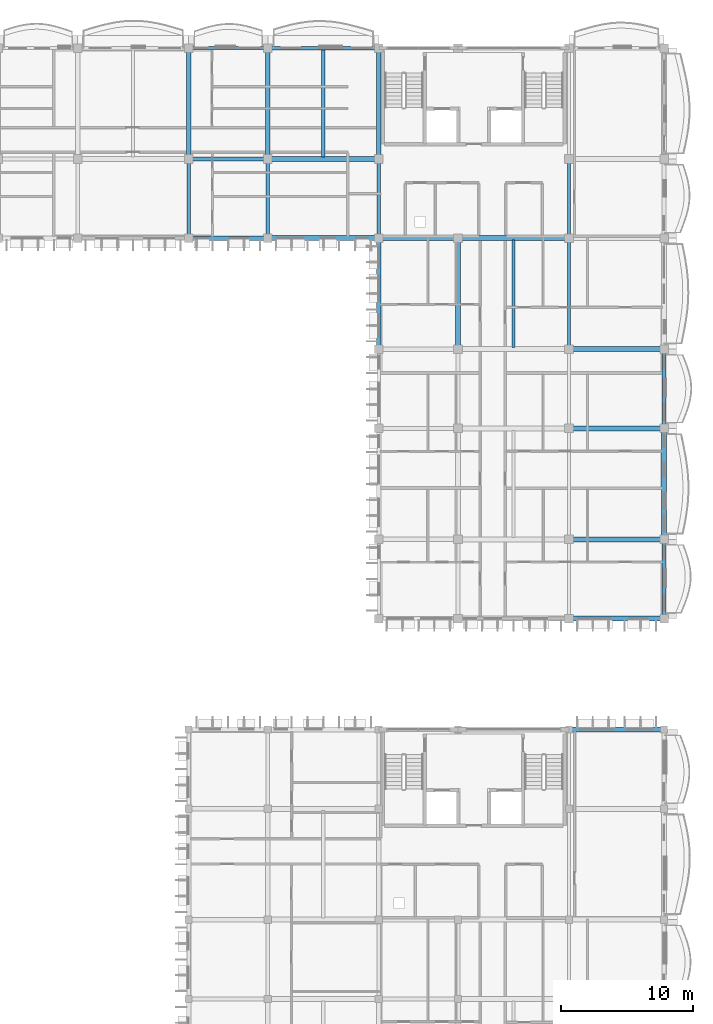
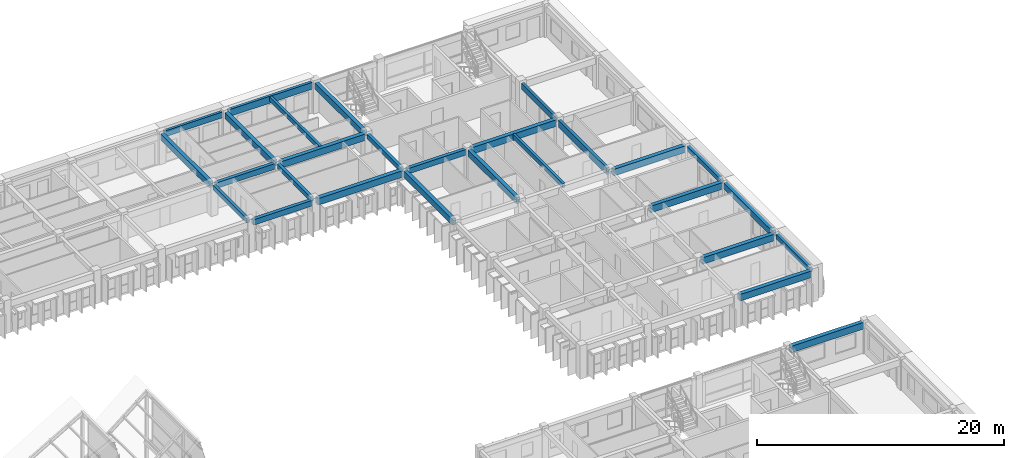
# One storey, part 30 of 101: 28 beams.
"""IFC4 building model written with IfcOpenShell, lengths in metres."""

from ifc_helpers import new_model, si_unit, direction, frame, origin, origin_2d, place, context, subcontext, project, spatial, rectangle, extrude, material, material_profile, profile_set, type_object, element, save


model = new_model("IFC4")

# Units and contexts
model_context = context("Model", 3, precision=1e-05, world=origin(), true_north=direction((0.0, 1.0)))
body_context = subcontext(model_context, "Body", "Model", "MODEL_VIEW")
ifc_project = project(units=[si_unit("LENGTHUNIT", "METRE"), si_unit("AREAUNIT", "SQUARE_METRE"), si_unit("VOLUMEUNIT", "CUBIC_METRE"), si_unit("PLANEANGLEUNIT", "RADIAN"), si_unit("MASSUNIT", "GRAM", prefix="KILO"), si_unit("THERMODYNAMICTEMPERATUREUNIT", "KELVIN")], contexts=[model_context])

# Site, building, storey
site_placement = place(None, origin())
site = spatial("IfcSite", under=ifc_project, at=site_placement, CompositionType="ELEMENT")
building_placement = place(site_placement, origin())
building = spatial("IfcBuilding", under=site, at=building_placement, Name="Thalorik Housing Commons", CompositionType="ELEMENT")
storey_placement = place(building_placement, frame((0.0, 0.0, 8.10009765625)))
storey = spatial("IfcBuildingStorey", under=building, at=storey_placement, Name="L02", CompositionType="ELEMENT", Elevation=8.10009765625)

# Beams
ifc_material = material(Name="Precast concrete C40/50", Category="concrete")
ifc_material_profile_1 = material_profile(ifc_material, rectangle(XDim=0.280029296875, YDim=0.449951171875, at=origin_2d()), Name="PC 280x450", Category="concrete")
ifc_profile_set_1 = profile_set([ifc_material_profile_1], Name="Precast concrete C40/50")
beam_type_1 = type_object("IfcBeamType", Name="STR-BM-PC280x450", PredefinedType="BEAM", material=ifc_profile_set_1)
for number, where, z_axis, x_axis, name in (
    (1, (138.0, 109.47509765625, 2.81494140625), (0.0, 1.0, 0.0), (-1.0, 0.0, 0.0), "L02 Beam B-450"),
    (2, (144.0, 109.47509765625, 2.81494140625), (0.0, 1.0, 0.0), (-1.0, 0.0, 0.0), "L02 Beam B-450"),
    (3, (152.39990234375, 109.47509765625, 2.81494140625), (0.0, 1.0, 0.0), (-1.0, 0.0, 0.0), "L02 Beam B-450"),
    (4, (174.0, 80.675048828125, 2.81494140625), (0.0, 1.0, 0.0), (-1.0, 0.0, 0.0), "L02 Beam B-450"),
    (5, (174.0, 95.074951171875, 2.81494140625), (0.0, 1.0, 0.0), (-1.0, 0.0, 0.0), "L02 Beam B-450"),
):
    element("IfcBeam", number, at=place(storey_placement, frame(where, z_axis=z_axis, x_axis=x_axis)), inside=storey, type_object=beam_type_1, Name=name, PredefinedType="BEAM", context=body_context, shape_type="SweptSolid", body=[
        extrude(rectangle(XDim=0.280029296875, YDim=0.449951171875, at=origin_2d()), origin(), (0.0, 0.0, 1.0), 5.449951171875),
    ])
ifc_material_profile_2 = material_profile(ifc_material, rectangle(XDim=0.320068359375, YDim=0.550048828125, at=origin_2d()), Name="PC 320x550", Category="concrete")
ifc_profile_set_2 = profile_set([ifc_material_profile_2], Name="Precast concrete C40/50")
beam_type_2 = type_object("IfcBeamType", Name="STR-BM-PC320x550", PredefinedType="BEAM", material=ifc_profile_set_2)
beam_1_placement = place(storey_placement, frame((138.27490234375, 109.199951171875, 2.764892578125), z_axis=(1.0, 0.0, 0.0), x_axis=(0.0, 1.0, 0.0)))
element("IfcBeam", 6, at=beam_1_placement, inside=storey, type_object=beam_type_2, Name="L02 Beam B-550", PredefinedType="BEAM", context=body_context, shape_type="SweptSolid", body=[
    extrude(rectangle(XDim=0.320068359375, YDim=0.550048828125, at=origin_2d()), origin(), (0.0, 0.0, 1.0), 5.4501953125),
])
beam_2_placement = place(storey_placement, frame((152.675048828125, 109.199951171875, 2.764892578125), z_axis=(1.0, 0.0, 0.0), x_axis=(0.0, 1.0, 0.0)))
element("IfcBeam", 7, at=beam_2_placement, inside=storey, type_object=beam_type_2, Name="L02 Beam B-550", PredefinedType="BEAM", context=body_context, shape_type="SweptSolid", body=[
    extrude(rectangle(XDim=0.320068359375, YDim=0.550048828125, at=origin_2d()), origin(), (0.0, 0.0, 1.0), 5.449951171875),
])
beam_3_placement = place(storey_placement, frame((138.27490234375, 115.199951171875, 2.764892578125), z_axis=(1.0, 0.0, 0.0), x_axis=(0.0, 1.0, 0.0)))
element("IfcBeam", 8, at=beam_3_placement, inside=storey, type_object=beam_type_2, Name="L02 Beam B-550", PredefinedType="BEAM", context=body_context, shape_type="SweptSolid", body=[
    extrude(rectangle(XDim=0.320068359375, YDim=0.550048828125, at=origin_2d()), origin(), (0.0, 0.0, 1.0), 5.4501953125),
])
ifc_material_profile_3 = material_profile(ifc_material, rectangle(XDim=0.35009765625, YDim=0.60009765625, at=origin_2d()), Name="PC 350x600", Category="concrete")
ifc_profile_set_3 = profile_set([ifc_material_profile_3], Name="Precast concrete C40/50")
beam_type_3 = type_object("IfcBeamType", Name="STR-BM-PC350x600", PredefinedType="BEAM", material=ifc_profile_set_3)
for number, where, z_axis, x_axis, name in (
    (9, (138.0, 115.47509765625, 2.739990234375), (0.0, 1.0, 0.0), (-1.0, 0.0, 0.0), "L02 Beam B-600"),
    (10, (144.0, 115.47509765625, 2.739990234375), (0.0, 1.0, 0.0), (-1.0, 0.0, 0.0), "L02 Beam B-600"),
):
    element("IfcBeam", number, at=place(storey_placement, frame(where, z_axis=z_axis, x_axis=x_axis)), inside=storey, type_object=beam_type_3, Name=name, PredefinedType="BEAM", context=body_context, shape_type="SweptSolid", body=[
        extrude(rectangle(XDim=0.35009765625, YDim=0.60009765625, at=origin_2d()), origin(), (0.0, 0.0, 1.0), 7.849853515625),
    ])
beam_4_placement = place(storey_placement, frame((152.39990234375, 101.074951171875, 2.739990234375), z_axis=(0.0, 1.0, 0.0), x_axis=(-1.0, 0.0, 0.0)))
element("IfcBeam", 11, at=beam_4_placement, inside=storey, type_object=beam_type_3, Name="L02 Beam B-600", PredefinedType="BEAM", context=body_context, shape_type="SweptSolid", body=[
    extrude(rectangle(XDim=0.35009765625, YDim=0.60009765625, at=origin_2d()), origin(), (0.0, 0.0, 1.0), 7.85009765625),
])
beam_5_placement = place(storey_placement, frame((152.39990234375, 115.47509765625, 2.739990234375), z_axis=(0.0, 1.0, 0.0), x_axis=(-1.0, 0.0, 0.0)))
element("IfcBeam", 12, at=beam_5_placement, inside=storey, type_object=beam_type_3, Name="L02 Beam B-600", PredefinedType="BEAM", context=body_context, shape_type="SweptSolid", body=[
    extrude(rectangle(XDim=0.35009765625, YDim=0.60009765625, at=origin_2d()), origin(), (0.0, 0.0, 1.0), 7.849853515625),
])
beam_6_placement = place(storey_placement, frame((158.39990234375, 101.074951171875, 2.739990234375), z_axis=(0.0, 1.0, 0.0), x_axis=(-1.0, 0.0, 0.0)))
element("IfcBeam", 13, at=beam_6_placement, inside=storey, type_object=beam_type_3, Name="L02 Beam B-600", PredefinedType="BEAM", context=body_context, shape_type="SweptSolid", body=[
    extrude(rectangle(XDim=0.35009765625, YDim=0.60009765625, at=origin_2d()), origin(), (0.0, 0.0, 1.0), 7.85009765625),
])
beam_7_placement = place(storey_placement, frame((174.0, 86.675048828125, 2.739990234375), z_axis=(0.0, 1.0, 0.0), x_axis=(-1.0, 0.0, 0.0)))
element("IfcBeam", 14, at=beam_7_placement, inside=storey, type_object=beam_type_3, Name="L02 Beam B-600", PredefinedType="BEAM", context=body_context, shape_type="SweptSolid", body=[
    extrude(rectangle(XDim=0.35009765625, YDim=0.60009765625, at=origin_2d()), origin(), (0.0, 0.0, 1.0), 7.849853515625),
])
ifc_material_profile_4 = material_profile(ifc_material, rectangle(XDim=0.3798828125, YDim=0.64990234375, at=origin_2d()), Name="PC 380x650", Category="concrete")
ifc_profile_set_4 = profile_set([ifc_material_profile_4], Name="Precast concrete C40/50")
beam_type_4 = type_object("IfcBeamType", Name="STR-BM-PC380x650", PredefinedType="BEAM", material=ifc_profile_set_4)
beam_8_placement = place(storey_placement, frame((167.02490234375, 72.0, 2.71484375), z_axis=(1.0, 0.0, 0.0), x_axis=(0.0, 1.0, 0.0)))
element("IfcBeam", 15, at=beam_8_placement, inside=storey, type_object=beam_type_4, Name="L02 Beam B-650", PredefinedType="BEAM", context=body_context, shape_type="SweptSolid", body=[
    extrude(rectangle(XDim=0.3798828125, YDim=0.64990234375, at=origin_2d()), origin(), (0.0, 0.0, 1.0), 6.75),
])
for number, where, z_axis, x_axis, name in (
    (16, (167.074951171875, 80.39990234375, 2.71484375), (1.0, 0.0, 0.0), (0.0, 1.0, 0.0), "L02 Beam B-650"),
    (17, (167.074951171875, 86.39990234375, 2.71484375), (1.0, 0.0, 0.0), (0.0, 1.0, 0.0), "L02 Beam B-650"),
    (18, (167.074951171875, 94.800048828125, 2.71484375), (1.0, 0.0, 0.0), (0.0, 1.0, 0.0), "L02 Beam B-650"),
    (19, (167.074951171875, 100.800048828125, 2.71484375), (1.0, 0.0, 0.0), (0.0, 1.0, 0.0), "L02 Beam B-650"),
):
    element("IfcBeam", number, at=place(storey_placement, frame(where, z_axis=z_axis, x_axis=x_axis)), inside=storey, type_object=beam_type_4, Name=name, PredefinedType="BEAM", context=body_context, shape_type="SweptSolid", body=[
        extrude(rectangle(XDim=0.3798828125, YDim=0.64990234375, at=origin_2d()), origin(), (0.0, 0.0, 1.0), 6.650146484375),
    ])
beam_9_placement = place(storey_placement, frame((144.27490234375, 109.199951171875, 2.71484375), z_axis=(1.0, 0.0, 0.0), x_axis=(0.0, 1.0, 0.0)))
element("IfcBeam", 20, at=beam_9_placement, inside=storey, type_object=beam_type_4, Name="L02 Beam B-650", PredefinedType="BEAM", context=body_context, shape_type="SweptSolid", body=[
    extrude(rectangle(XDim=0.3798828125, YDim=0.64990234375, at=origin_2d()), origin(), (0.0, 0.0, 1.0), 7.85009765625),
])
beam_10_placement = place(storey_placement, frame((158.675048828125, 109.199951171875, 2.71484375), z_axis=(1.0, 0.0, 0.0), x_axis=(0.0, 1.0, 0.0)))
element("IfcBeam", 21, at=beam_10_placement, inside=storey, type_object=beam_type_4, Name="L02 Beam B-650", PredefinedType="BEAM", context=body_context, shape_type="SweptSolid", body=[
    extrude(rectangle(XDim=0.3798828125, YDim=0.64990234375, at=origin_2d()), origin(), (0.0, 0.0, 1.0), 7.849853515625),
])
beam_11_placement = place(storey_placement, frame((144.27490234375, 115.199951171875, 2.71484375), z_axis=(1.0, 0.0, 0.0), x_axis=(0.0, 1.0, 0.0)))
element("IfcBeam", 22, at=beam_11_placement, inside=storey, type_object=beam_type_4, Name="L02 Beam B-650", PredefinedType="BEAM", context=body_context, shape_type="SweptSolid", body=[
    extrude(rectangle(XDim=0.3798828125, YDim=0.64990234375, at=origin_2d()), origin(), (0.0, 0.0, 1.0), 7.85009765625),
])
ifc_material_profile_5 = material_profile(ifc_material, rectangle(XDim=0.239990234375, YDim=0.43994140625, at=origin_2d()), Name="PC JST 240x440", Category="concrete")
ifc_profile_set_5 = profile_set([ifc_material_profile_5], Name="Precast concrete C40/50")
beam_type_5 = type_object("IfcBeamType", Name="STR-JST-PC240x440", PredefinedType="JOIST", material=ifc_profile_set_5)
beam_12_placement = place(storey_placement, frame((162.60009765625, 100.93994140625, 2.81982421875), z_axis=(0.0, 1.0, 0.0), x_axis=(-1.0, 0.0, 0.0)))
element("IfcBeam", 23, at=beam_12_placement, inside=storey, type_object=beam_type_5, Name="L02 Beam J-440", PredefinedType="JOIST", context=body_context, shape_type="SweptSolid", body=[
    extrude(rectangle(XDim=0.239990234375, YDim=0.43994140625, at=origin_2d()), origin(), (0.0, 0.0, 1.0), 8.1201171875),
])
beam_13_placement = place(storey_placement, frame((148.199951171875, 115.340087890625, 2.81982421875), z_axis=(0.0, 1.0, 0.0), x_axis=(-1.0, 0.0, 0.0)))
element("IfcBeam", 24, at=beam_13_placement, inside=storey, type_object=beam_type_5, Name="L02 Beam J-440", PredefinedType="JOIST", context=body_context, shape_type="SweptSolid", body=[
    extrude(rectangle(XDim=0.239990234375, YDim=0.43994140625, at=origin_2d()), origin(), (0.0, 0.0, 1.0), 8.119873046875),
])
ifc_material_profile_6 = material_profile(ifc_material, rectangle(XDim=0.239990234375, YDim=0.580078125, at=origin_2d()), Name="PC SP 240x580", Category="concrete")
ifc_profile_set_6 = profile_set([ifc_material_profile_6], Name="Precast concrete C40/50")
beam_type_6 = type_object("IfcBeamType", Name="STR-SP-PC240x580", PredefinedType="SPANDREL", material=ifc_profile_set_6)
beam_14_placement = place(storey_placement, frame((138.27490234375, 123.60009765625, 2.75), z_axis=(1.0, 0.0, 0.0), x_axis=(0.0, 1.0, 0.0)))
element("IfcBeam", 25, at=beam_14_placement, inside=storey, type_object=beam_type_6, Name="L02 Beam B-550", PredefinedType="SPANDREL", context=body_context, shape_type="SweptSolid", body=[
    extrude(rectangle(XDim=0.239990234375, YDim=0.580078125, at=origin_2d()), origin(), (0.0, 0.0, 1.0), 5.4501953125),
])
beam_15_placement = place(storey_placement, frame((166.800048828125, 109.47509765625, 2.75), z_axis=(0.0, 1.0, 0.0), x_axis=(-1.0, 0.0, 0.0)))
element("IfcBeam", 26, at=beam_15_placement, inside=storey, type_object=beam_type_6, Name="L02 Beam B-450", PredefinedType="SPANDREL", context=body_context, shape_type="SweptSolid", body=[
    extrude(rectangle(XDim=0.239990234375, YDim=0.580078125, at=origin_2d()), origin(), (0.0, 0.0, 1.0), 5.449951171875),
])
ifc_material_profile_7 = material_profile(ifc_material, rectangle(XDim=0.260009765625, YDim=0.679931640625, at=origin_2d()), Name="PC SP 260x680", Category="concrete")
ifc_profile_set_7 = profile_set([ifc_material_profile_7], Name="Precast concrete C40/50")
beam_type_7 = type_object("IfcBeamType", Name="STR-SP-PC260x680", PredefinedType="SPANDREL", material=ifc_profile_set_7)
for number, where, z_axis, x_axis, name in (
    (27, (144.27490234375, 123.60009765625, 2.699951171875), (1.0, 0.0, 0.0), (0.0, 1.0, 0.0), "L02 Beam B-650"),
    (28, (166.800048828125, 101.074951171875, 2.699951171875), (0.0, 1.0, 0.0), (-1.0, 0.0, 0.0), "L02 Beam B-600"),
):
    element("IfcBeam", number, at=place(storey_placement, frame(where, z_axis=z_axis, x_axis=x_axis)), inside=storey, type_object=beam_type_7, Name=name, PredefinedType="SPANDREL", context=body_context, shape_type="SweptSolid", body=[
        extrude(rectangle(XDim=0.260009765625, YDim=0.679931640625, at=origin_2d()), origin(), (0.0, 0.0, 1.0), 7.85009765625),
    ])

save(model, "model.ifc")
